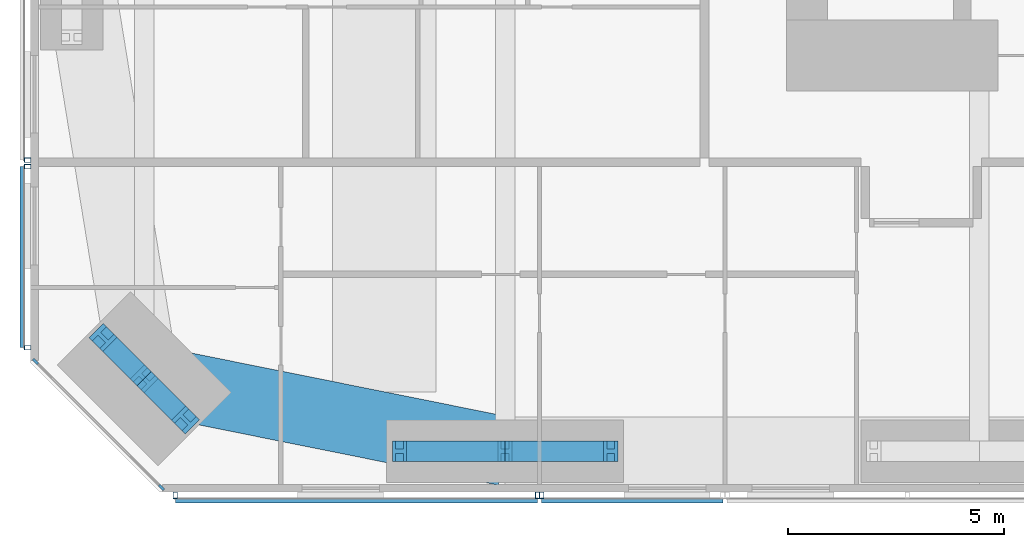
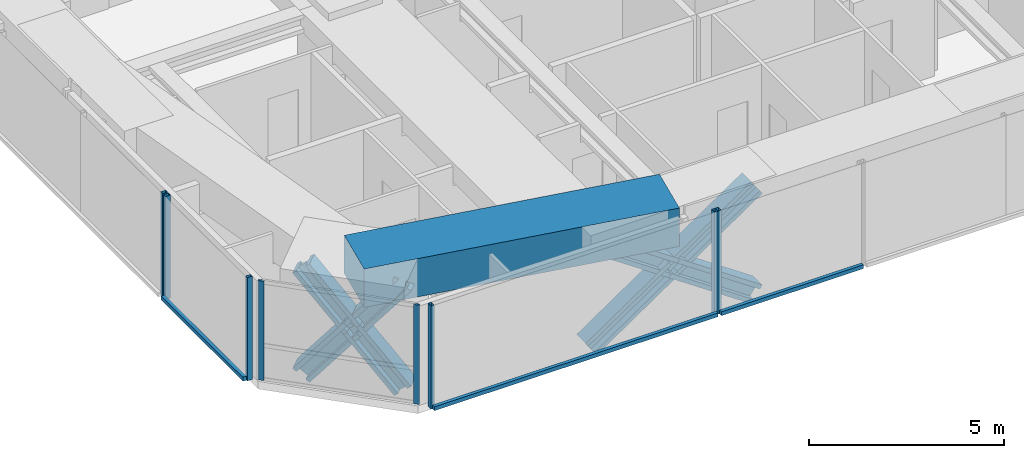
# One storey, part 2 of 24: 19 members, 1 beam, 5 elements without a shape of their own.
"""IFC4 building model written with IfcOpenShell, lengths in metres."""

import ifcopenshell
import ifcopenshell.guid

model = None  # the IFC model being written
_history = None  # IfcOwnerHistory: only IFC2X3 demands one
_inside = {}  # id of a spatial element -> (the spatial element, [elements in it])
_under = {}  # id of a project, library or spatial element -> (it, [spatial elements below it])
_declared = {}  # id of a project -> (the project, [libraries it declares])
_typed = {}  # id of a type object -> (the type object, [elements of that type])
_made_of = {}  # id of a material, layer set ... -> (it, [elements and type objects made of it])


def new_model(schema):
    """Start an empty IFC model of exactly this schema.

    Asked for "IFC4X3", IfcOpenShell would pick the latest addendum, in which some entities
    have other attributes; the version numbers below select the first issue.
    IFC2X3 requires an IfcOwnerHistory on every rooted entity: one is made here for all.
    """
    global model, _history
    if schema == "IFC4X3":
        model = ifcopenshell.file(schema_version=(4, 3, 0, 0))
    else:
        model = ifcopenshell.file(schema=schema)
    _inside.clear()
    _under.clear()
    _declared.clear()
    _typed.clear()
    _made_of.clear()
    _history = None
    if model.schema == "IFC2X3":
        org = make("IfcOrganization", Name="unknown")
        user = make(
            "IfcPersonAndOrganization",
            ThePerson=make("IfcPerson", FamilyName="unknown"),
            TheOrganization=org,
        )
        app = make(
            "IfcApplication",
            ApplicationDeveloper=org,
            Version="unknown",
            ApplicationFullName="unknown",
            ApplicationIdentifier="unknown",
        )
        _history = make(
            "IfcOwnerHistory",
            OwningUser=user,
            OwningApplication=app,
            ChangeAction="ADDED",
            CreationDate=0,
        )
    return model


def make(cls, **values):
    """One entity of the class cls with the attributes given. An attribute that is None is left unset."""
    return model.create_entity(
        cls, **{name: value for name, value in values.items() if value is not None}
    )


def rooted(cls, **values):
    """An entity with a GlobalId (a new one), such as an element, a storey or a relation."""
    return make(cls, GlobalId=ifcopenshell.guid.new(), OwnerHistory=_history, **values)


def si_unit(unit_type, name, prefix=None):
    """IfcSIUnit, for example si_unit("LENGTHUNIT", "METRE", prefix="MILLI")."""
    return make("IfcSIUnit", UnitType=unit_type, Prefix=prefix, Name=name)


def assignment(units):
    """IfcUnitAssignment: the units of a project."""
    return None if units is None else make("IfcUnitAssignment", Units=units)


def point(xyz):
    """IfcCartesianPoint."""
    return None if xyz is None else make("IfcCartesianPoint", Coordinates=xyz)


def direction(xyz):
    """IfcDirection."""
    return None if xyz is None else make("IfcDirection", DirectionRatios=xyz)


def frame(location, z_axis=None, x_axis=None):
    """IfcAxis2Placement3D, a coordinate frame: its origin and axes. An axis left out is left unset."""
    return make(
        "IfcAxis2Placement3D",
        Location=point(location),
        Axis=direction(z_axis),
        RefDirection=direction(x_axis),
    )


def frame_2d(location, x_axis=None):
    """IfcAxis2Placement2D, a coordinate frame in the plane: its origin and x axis."""
    return make(
        "IfcAxis2Placement2D", Location=point(location), RefDirection=direction(x_axis)
    )


def origin():
    """The frame at (0, 0, 0) with its axes left unset."""
    return frame((0.0, 0.0, 0.0))


def origin_2d():
    """The frame at (0, 0) in the plane with its x axis left unset."""
    return frame_2d((0.0, 0.0))


def place(relative_to, where):
    """IfcLocalPlacement: puts the frame where relative to a parent placement (None: the world)."""
    return make(
        "IfcLocalPlacement", PlacementRelTo=relative_to, RelativePlacement=where
    )


def context(
    kind, dimensions, precision=None, world=None, true_north=None, identifier=None
):
    """IfcGeometricRepresentationContext, for example the 3D "Model" context."""
    return make(
        "IfcGeometricRepresentationContext",
        ContextIdentifier=identifier,
        ContextType=kind,
        CoordinateSpaceDimension=dimensions,
        Precision=precision,
        WorldCoordinateSystem=world,
        TrueNorth=true_north,
    )


def subcontext(parent, identifier, kind, view, scale=None):
    """IfcGeometricRepresentationSubContext, for example "Body" below "Model"."""
    return make(
        "IfcGeometricRepresentationSubContext",
        ContextIdentifier=identifier,
        ContextType=kind,
        ParentContext=parent,
        TargetScale=scale,
        TargetView=view,
    )


def project(units=None, contexts=None):
    """IfcProject with its units and contexts."""
    return rooted(
        "IfcProject",
        Name="project",
        RepresentationContexts=contexts,
        UnitsInContext=assignment(units),
    )


def spatial(cls, under=None, at=None, **own):
    """A site, building, storey or space (cls), placed at a placement, below another one or the project."""
    s = rooted(cls, ObjectPlacement=at, **own)
    if under is not None:
        _under.setdefault(under.id(), (under, []))[1].append(s)
    return s


def profile(cls, at=None, kind="AREA", **sizes):
    """A parametric profile (cls). Its sizes go by their IFC names, for example OverallWidth=200.0."""
    return make(cls, ProfileType=kind, Position=at, **sizes)


def rectangle(**sizes):
    """IfcRectangleProfileDef."""
    return profile("IfcRectangleProfileDef", **sizes)


def hollow_rectangle(**sizes):
    """IfcRectangleHollowProfileDef."""
    return profile("IfcRectangleHollowProfileDef", **sizes)


def i_section(**sizes):
    """IfcIShapeProfileDef."""
    return profile("IfcIShapeProfileDef", **sizes)


def extrude(swept, where, along, depth):
    """IfcExtrudedAreaSolid: the profile swept, set in the frame where, extruded along a direction by depth."""
    return make(
        "IfcExtrudedAreaSolid",
        SweptArea=swept,
        Position=where,
        ExtrudedDirection=direction(along),
        Depth=depth,
    )


def shape(context_of_items, identifier, shape_type, items):
    """IfcShapeRepresentation: the items that make up one representation, for example the "Body"."""
    return make(
        "IfcShapeRepresentation",
        ContextOfItems=context_of_items,
        RepresentationIdentifier=identifier,
        RepresentationType=shape_type,
        Items=items,
    )


def material(Name=None, Category=None):
    """IfcMaterial."""
    return make("IfcMaterial", Name=Name, Category=Category)


def material_profile(
    of_material, cross_section, Name=None, Category=None, Priority=None
):
    """IfcMaterialProfile: a cross section and its material."""
    return make(
        "IfcMaterialProfile",
        Name=Name,
        Material=of_material,
        Profile=cross_section,
        Priority=Priority,
        Category=Category,
    )


def profile_set(profiles, Name=None, composite=None):
    """IfcMaterialProfileSet."""
    return make(
        "IfcMaterialProfileSet",
        Name=Name,
        MaterialProfiles=profiles,
        CompositeProfile=composite,
    )


def made_of(thing, what):
    """Note that an element or type object is made of a material, layer set ...; save() writes the relation."""
    if what is not None:
        _made_of.setdefault(what.id(), (what, []))[1].append(thing)
    return thing


def type_object(cls, material=None, **own):
    """A type object (cls), such as IfcWallType, which elements share."""
    return made_of(rooted(cls, **own), material)


def element(
    cls,
    number,
    at=None,
    inside=None,
    cuts=None,
    type_object=None,
    material=None,
    context=None,
    identifier="Body",
    shape_type=None,
    held_by="IfcProductDefinitionShape",
    body=None,
    shapes=None,
    **own,
):
    """One element of the class cls, such as IfcWall. Its Tag is "e" and its number.

    at: its placement. inside: the storey or other place that contains it. cuts: it is an
    opening in that element (IfcRelVoidsElement). A single representation is given by context,
    identifier, shape_type and body (its items); several are given by shapes. held_by: the class
    of the entity that holds the representations. save() writes the other relations.
    """
    e = rooted(cls, Tag="e%d" % number, ObjectPlacement=at, **own)
    if body is not None:
        shapes = [shape(context, identifier, shape_type, body)]
    if shapes is not None:
        e.Representation = make(held_by, Representations=shapes)
    if inside is not None:
        _inside.setdefault(inside.id(), (inside, []))[1].append(e)
    if cuts is not None:
        rooted(
            "IfcRelVoidsElement", RelatingBuildingElement=cuts, RelatedOpeningElement=e
        )
    if type_object is not None:
        _typed.setdefault(type_object.id(), (type_object, []))[1].append(e)
    return made_of(e, material)


def aggregate(whole, parts):
    """IfcRelAggregates: a whole, such as a stair, and the parts it consists of."""
    return rooted("IfcRelAggregates", RelatingObject=whole, RelatedObjects=parts)


def save(model, path):
    """Write the relations noted so far, then the file.

    IfcRelAggregates (storeys below a building ...), IfcRelContainedInSpatialStructure (elements
    in a storey), IfcRelDefinesByType, IfcRelAssociatesMaterial and IfcRelDeclares: one each for
    every whole, place, type object, material and project.
    """
    for whole, parts in _under.values():
        aggregate(whole, parts)
    for where, things in _inside.values():
        rooted(
            "IfcRelContainedInSpatialStructure",
            RelatedElements=things,
            RelatingStructure=where,
        )
    for kind, things in _typed.values():
        rooted("IfcRelDefinesByType", RelatedObjects=things, RelatingType=kind)
    for what, things in _made_of.values():
        rooted("IfcRelAssociatesMaterial", RelatedObjects=things, RelatingMaterial=what)
    for by, libraries in _declared.values():
        rooted("IfcRelDeclares", RelatingContext=by, RelatedDefinitions=libraries)
    model.write(path)


model = new_model("IFC4")

# Units and contexts
model_context = context("Model", 3, precision=1e-05, world=origin(), true_north=direction((0.0, 1.0)))
body_context = subcontext(model_context, "Body", "Model", "MODEL_VIEW")
ifc_project = project(units=[si_unit("LENGTHUNIT", "METRE"), si_unit("AREAUNIT", "SQUARE_METRE"), si_unit("VOLUMEUNIT", "CUBIC_METRE"), si_unit("PLANEANGLEUNIT", "RADIAN"), si_unit("MASSUNIT", "GRAM", prefix="KILO")], contexts=[model_context])

# Site, building, storey
site_placement = place(None, origin())
site = spatial("IfcSite", under=ifc_project, at=site_placement, CompositionType="ELEMENT")
building_placement = place(site_placement, origin())
building = spatial("IfcBuilding", under=site, at=building_placement, Name="Jalousie Tower", CompositionType="ELEMENT")
storey_placement = place(building_placement, frame((0.0, 0.0, 61.199951171875)))
storey = spatial("IfcBuildingStorey", under=building, at=storey_placement, Name="L16", CompositionType="ELEMENT", Elevation=61.199951171875)

# Curtain wall, members
ifc_material_1 = material(Name="Aluminium curtain wall", Category="aluminium")
curtain_wall_type_1 = type_object("IfcCurtainWallType", Name="CORNER WINDOW WALL", PredefinedType="USERDEFINED", material=ifc_material_1)
curtain_wall_1_placement = place(storey_placement, origin())
curtain_wall_1 = element("IfcCurtainWall", 1, at=curtain_wall_1_placement, inside=storey, type_object=curtain_wall_type_1, Name="Corner Window Wall L16 8", ObjectType="CORNER WINDOW WALL", PredefinedType="USERDEFINED")
ifc_material_2 = material(Name="Aluminium mullion", Category="aluminium")
ifc_material_profile_1 = material_profile(ifc_material_2, rectangle(XDim=0.06005859375, YDim=0.14990234375, at=origin_2d()), Name="MULLION 60x150")
ifc_profile_set_1 = profile_set([ifc_material_profile_1], Name="Aluminium mullion")
member_type_1 = type_object("IfcMemberType", Name="CORNER WINDOW WALL MULLION", PredefinedType="MULLION", material=ifc_profile_set_1)
member_1_placement = place(storey_placement, frame((2.108642578125, 3.030029296875, 0.0), z_axis=(0.0, 0.0, 1.0), x_axis=(0.707106781187, 0.707106781187, 0.0)))
member_1 = element("IfcMember", 2, at=member_1_placement, type_object=member_type_1, Name="CW-C mullion 1", PredefinedType="MULLION", context=body_context, shape_type="SweptSolid", body=[
    extrude(rectangle(XDim=0.06005859375, YDim=0.14990234375, at=origin_2d()), origin(), (0.0, 0.0, 1.0), 3.110107421875),
])
member_2_placement = place(storey_placement, frame((5.030029296875, 0.108642578125, 0.0), z_axis=(0.0, 0.0, 1.0), x_axis=(0.707106781187, 0.707106781187, 0.0)))
member_2 = element("IfcMember", 3, at=member_2_placement, type_object=member_type_1, Name="CW-C mullion 2", PredefinedType="MULLION", context=body_context, shape_type="SweptSolid", body=[
    extrude(rectangle(XDim=0.06005859375, YDim=0.14990234375, at=origin_2d()), origin(), (0.0, 0.0, 1.0), 3.110107421875),
])
aggregate(curtain_wall_1, [member_1, member_2])

# Members
ifc_material_3 = material(Name="Steel ASTM A992 Grade 50", Category="steel")
ifc_material_profile_2 = material_profile(ifc_material_3, i_section(OverallWidth=0.472412109375, OverallDepth=0.5791015625, WebThickness=0.094970703125, FlangeThickness=0.1298828125, at=origin_2d()), Name="W14X808")
ifc_profile_set_2 = profile_set([ifc_material_profile_2], Name="Steel ASTM A992 Grade 50")
member_type_2 = type_object("IfcMemberType", Name="PERIMETER BRACE W14X808", PredefinedType="BRACE", material=ifc_profile_set_2)
member_3_placement = place(storey_placement, frame((3.6767578125, 3.5859375, -0.599853515625), z_axis=(0.443757535686, -0.443757535686, 0.778561814529), x_axis=(0.707106781187, 0.707106781187, 0.0)))
element("IfcMember", 4, at=member_3_placement, inside=storey, type_object=member_type_2, Name="Perimeter brace 01 L16 part 1", PredefinedType="BRACE", context=body_context, shape_type="SweptSolid", body=[
    extrude(i_section(OverallWidth=0.472412109375, OverallDepth=0.5791015625, WebThickness=0.094970703125, FlangeThickness=0.1298828125, at=origin_2d()), origin(), (0.0, 0.0, 1.0), 2.151123046875),
])
member_4_placement = place(storey_placement, frame((4.63134765625, 2.63134765625, 1.074951171875), z_axis=(0.443718327034, -0.443718327034, 0.778606506849), x_axis=(0.707106781187, 0.707106781187, 0.0)))
element("IfcMember", 5, at=member_4_placement, inside=storey, type_object=member_type_2, Name="Perimeter brace 01 L16 part 2", PredefinedType="BRACE", context=body_context, shape_type="SweptSolid", body=[
    extrude(i_section(OverallWidth=0.472412109375, OverallDepth=0.5791015625, WebThickness=0.094970703125, FlangeThickness=0.1298828125, at=origin_2d()), origin(), (0.0, 0.0, 1.0), 2.1513671875),
])
member_5_placement = place(storey_placement, frame((5.5859375, 1.6767578125, -0.599853515625), z_axis=(-0.443757535686, 0.443757535686, 0.778561814529), x_axis=(-0.707106781187, -0.707106781187, 0.0)))
element("IfcMember", 6, at=member_5_placement, inside=storey, type_object=member_type_2, Name="Perimeter brace 01 L16 part 3", PredefinedType="BRACE", context=body_context, shape_type="SweptSolid", body=[
    extrude(i_section(OverallWidth=0.472412109375, OverallDepth=0.5791015625, WebThickness=0.094970703125, FlangeThickness=0.1298828125, at=origin_2d()), origin(), (0.0, 0.0, 1.0), 2.151123046875),
])
member_6_placement = place(storey_placement, frame((4.63134765625, 2.63134765625, 1.074951171875), z_axis=(-0.443718327034, 0.443718327034, 0.778606506849), x_axis=(-0.707106781187, -0.707106781187, 0.0)))
element("IfcMember", 7, at=member_6_placement, inside=storey, type_object=member_type_2, Name="Perimeter brace 01 L16 part 4", PredefinedType="BRACE", context=body_context, shape_type="SweptSolid", body=[
    extrude(i_section(OverallWidth=0.472412109375, OverallDepth=0.5791015625, WebThickness=0.094970703125, FlangeThickness=0.1298828125, at=origin_2d()), origin(), (0.0, 0.0, 1.0), 2.1513671875),
])
for number, where, z_axis, x_axis, name in (
    (8, (10.550048828125, 0.949951171875, -0.599853515625), (0.825539243753, 0.0, 0.564344714713), (0.0, 1.0, 0.0), "Perimeter brace 02 L16 part 1"),
    (9, (13.0, 0.949951171875, 1.074951171875), (0.825500916831, 0.0, 0.564400776321), (0.0, 1.0, 0.0), "Perimeter brace 02 L16 part 2"),
    (10, (15.449951171875, 0.949951171875, -0.599853515625), (-0.825539243753, 0.0, 0.564344714713), (0.0, -1.0, 0.0), "Perimeter brace 02 L16 part 3"),
    (11, (13.0, 0.949951171875, 1.074951171875), (-0.825500916831, 0.0, 0.564400776321), (0.0, -1.0, 0.0), "Perimeter brace 02 L16 part 4"),
):
    element("IfcMember", number, at=place(storey_placement, frame(where, z_axis=z_axis, x_axis=x_axis)), inside=storey, type_object=member_type_2, Name=name, PredefinedType="BRACE", context=body_context, shape_type="SweptSolid", body=[
        extrude(i_section(OverallWidth=0.472412109375, OverallDepth=0.5791015625, WebThickness=0.094970703125, FlangeThickness=0.1298828125, at=origin_2d()), origin(), (0.0, 0.0, 1.0), 2.9677734375),
    ])

# Beam
ifc_material_4 = material(Name="Concrete f'c 40 MPa", Category="concrete")
ifc_material_profile_3 = material_profile(ifc_material_4, rectangle(XDim=1.60009765625, YDim=1.199951171875, at=origin_2d()), Name="RC 1600x1200")
ifc_profile_set_3 = profile_set([ifc_material_profile_3], Name="Concrete f'c 40 MPa")
beam_type = type_object("IfcBeamType", Name="RC BEAM 1600x1200", PredefinedType="BEAM", material=ifc_profile_set_3)
beam_placement = place(storey_placement, frame((4.63134765625, 2.63134765625, 2.75), z_axis=(0.980407585444, -0.196979609107, 0.0), x_axis=(0.196979609107, 0.980407585444, 0.0)))
element("IfcBeam", 12, at=beam_placement, inside=storey, type_object=beam_type, Name="Edge band beam 01-02 under L17", PredefinedType="BEAM", context=body_context, shape_type="SweptSolid", body=[
    extrude(rectangle(XDim=1.60009765625, YDim=1.199951171875, at=origin_2d()), origin(), (0.0, 0.0, 1.0), 8.535888671875),
])

# Curtain wall, members
ifc_material_5 = material(Name="Perforated aluminium sheet", Category="aluminium")
curtain_wall_type_2 = type_object("IfcCurtainWallType", Name="SOLAR SCREEN SS-1", PredefinedType="USERDEFINED", material=ifc_material_5)
curtain_wall_2_placement = place(storey_placement, origin())
curtain_wall_2 = element("IfcCurtainWall", 13, at=curtain_wall_2_placement, inside=storey, type_object=curtain_wall_type_2, Name="Solar screen L16", ObjectType="SOLAR SCREEN SS-1", PredefinedType="USERDEFINED")
ifc_material_6 = material(Name="Steel ASTM A500 Grade C", Category="steel")
ifc_material_profile_4 = material_profile(ifc_material_6, hollow_rectangle(XDim=0.1015625, YDim=0.15234375, WallThickness=0.00634765625, at=origin_2d()), Name="HSS6X4X1/4")
ifc_profile_set_4 = profile_set([ifc_material_profile_4], Name="Steel ASTM A500 Grade C")
member_type_3 = type_object("IfcMemberType", Name="SOLAR SCREEN SS-1 MULLION", PredefinedType="MULLION", material=ifc_profile_set_4)
member_7_placement = place(storey_placement, frame((5.351318359375, -0.0712890625, -0.119873046875), z_axis=(0.0, 0.0, 1.0), x_axis=(1.0, 0.0, 0.0)))
member_7 = element("IfcMember", 14, at=member_7_placement, type_object=member_type_3, Name="SS1 post 1", PredefinedType="MULLION", context=body_context, shape_type="SweptSolid", body=[
    extrude(hollow_rectangle(XDim=0.1015625, YDim=0.15234375, WallThickness=0.00634765625, at=origin_2d()), origin(), (0.0, 0.0, 1.0), 3.22998046875),
])
member_8_placement = place(storey_placement, frame((13.75, -0.0712890625, -0.119873046875), z_axis=(0.0, 0.0, 1.0), x_axis=(1.0, 0.0, 0.0)))
member_8 = element("IfcMember", 15, at=member_8_placement, type_object=member_type_3, Name="SS1 post 2", PredefinedType="MULLION", context=body_context, shape_type="SweptSolid", body=[
    extrude(hollow_rectangle(XDim=0.1015625, YDim=0.15234375, WallThickness=0.00634765625, at=origin_2d()), origin(), (0.0, 0.0, 1.0), 3.22998046875),
])

# Curtain wall, member
curtain_wall_3_placement = place(storey_placement, origin())
curtain_wall_3 = element("IfcCurtainWall", 16, at=curtain_wall_3_placement, inside=storey, type_object=curtain_wall_type_2, Name="Solar screen L16", ObjectType="SOLAR SCREEN SS-1", PredefinedType="USERDEFINED")
member_9_placement = place(storey_placement, frame((13.85009765625, -0.0712890625, -0.119873046875), z_axis=(0.0, 0.0, 1.0), x_axis=(1.0, 0.0, 0.0)))
member_9 = element("IfcMember", 17, at=member_9_placement, type_object=member_type_3, Name="SS1 post 1", PredefinedType="MULLION", context=body_context, shape_type="SweptSolid", body=[
    extrude(hollow_rectangle(XDim=0.1015625, YDim=0.15234375, WallThickness=0.00634765625, at=origin_2d()), origin(), (0.0, 0.0, 1.0), 3.22998046875),
])

curtain_wall_4_placement = place(storey_placement, origin())
curtain_wall_4 = element("IfcCurtainWall", 18, at=curtain_wall_4_placement, inside=storey, type_object=curtain_wall_type_2, Name="Solar screen L16", ObjectType="SOLAR SCREEN SS-1", PredefinedType="USERDEFINED")
member_10_placement = place(storey_placement, frame((1.9287109375, 7.699951171875, -0.119873046875), z_axis=(0.0, 0.0, 1.0), x_axis=(0.0, -1.0, 0.0)))
member_10 = element("IfcMember", 19, at=member_10_placement, type_object=member_type_3, Name="SS1 post 3", PredefinedType="MULLION", context=body_context, shape_type="SweptSolid", body=[
    extrude(hollow_rectangle(XDim=0.1015625, YDim=0.15234375, WallThickness=0.00634765625, at=origin_2d()), origin(), (0.0, 0.0, 1.0), 3.22998046875),
])
aggregate(curtain_wall_4, [member_10])

# Curtain wall, members
curtain_wall_5_placement = place(storey_placement, origin())
curtain_wall_5 = element("IfcCurtainWall", 20, at=curtain_wall_5_placement, inside=storey, type_object=curtain_wall_type_2, Name="Solar screen L16", ObjectType="SOLAR SCREEN SS-1", PredefinedType="USERDEFINED")
member_11_placement = place(storey_placement, frame((1.9287109375, 7.550048828125, -0.119873046875), z_axis=(0.0, 0.0, 1.0), x_axis=(0.0, -1.0, 0.0)))
member_11 = element("IfcMember", 21, at=member_11_placement, type_object=member_type_3, Name="SS1 post 1", PredefinedType="MULLION", context=body_context, shape_type="SweptSolid", body=[
    extrude(hollow_rectangle(XDim=0.1015625, YDim=0.15234375, WallThickness=0.00634765625, at=origin_2d()), origin(), (0.0, 0.0, 1.0), 3.22998046875),
])
member_12_placement = place(storey_placement, frame((1.9287109375, 3.351318359375, -0.119873046875), z_axis=(0.0, 0.0, 1.0), x_axis=(0.0, -1.0, 0.0)))
member_12 = element("IfcMember", 22, at=member_12_placement, type_object=member_type_3, Name="SS1 post 2", PredefinedType="MULLION", context=body_context, shape_type="SweptSolid", body=[
    extrude(hollow_rectangle(XDim=0.1015625, YDim=0.15234375, WallThickness=0.00634765625, at=origin_2d()), origin(), (0.0, 0.0, 1.0), 3.22998046875),
])

# Member
ifc_material_7 = material(Name="Extruded aluminium screen rail", Category="aluminium")
ifc_material_profile_5 = material_profile(ifc_material_7, rectangle(XDim=0.1015625, YDim=0.1201171875, at=origin_2d()), Name="RAIL 102x120")
ifc_profile_set_5 = profile_set([ifc_material_profile_5], Name="Extruded aluminium screen rail")
member_type_4 = type_object("IfcMemberType", Name="SOLAR SCREEN SS-1 TRANSOM", PredefinedType="USERDEFINED", material=ifc_profile_set_5)
member_13_placement = place(storey_placement, frame((5.351318359375, -0.1982421875, -0.06005859375), z_axis=(1.0, 0.0, 0.0), x_axis=(0.0, 1.0, 0.0)))
member_13 = element("IfcMember", 23, at=member_13_placement, type_object=member_type_4, Name="SS1 rail", ObjectType="TRANSOM", PredefinedType="USERDEFINED", context=body_context, shape_type="SweptSolid", body=[
    extrude(rectangle(XDim=0.1015625, YDim=0.1201171875, at=origin_2d()), origin(), (0.0, 0.0, 1.0), 8.398681640625),
])

aggregate(curtain_wall_2, [member_7, member_8, member_13])

member_14_placement = place(storey_placement, frame((13.85009765625, -0.1982421875, -0.06005859375), z_axis=(1.0, 0.0, 0.0), x_axis=(0.0, 1.0, 0.0)))
member_14 = element("IfcMember", 24, at=member_14_placement, type_object=member_type_4, Name="SS1 rail", ObjectType="TRANSOM", PredefinedType="USERDEFINED", context=body_context, shape_type="SweptSolid", body=[
    extrude(rectangle(XDim=0.1015625, YDim=0.1201171875, at=origin_2d()), origin(), (0.0, 0.0, 1.0), 4.199951171875),
])

aggregate(curtain_wall_3, [member_9, member_14])

member_15_placement = place(storey_placement, frame((1.8017578125, 7.550048828125, -0.06005859375), z_axis=(0.0, -1.0, 0.0), x_axis=(1.0, 0.0, 0.0)))
member_15 = element("IfcMember", 25, at=member_15_placement, type_object=member_type_4, Name="SS1 rail", ObjectType="TRANSOM", PredefinedType="USERDEFINED", context=body_context, shape_type="SweptSolid", body=[
    extrude(rectangle(XDim=0.1015625, YDim=0.1201171875, at=origin_2d()), origin(), (0.0, 0.0, 1.0), 4.19873046875),
])

aggregate(curtain_wall_5, [member_11, member_12, member_15])

save(model, "model.ifc")
